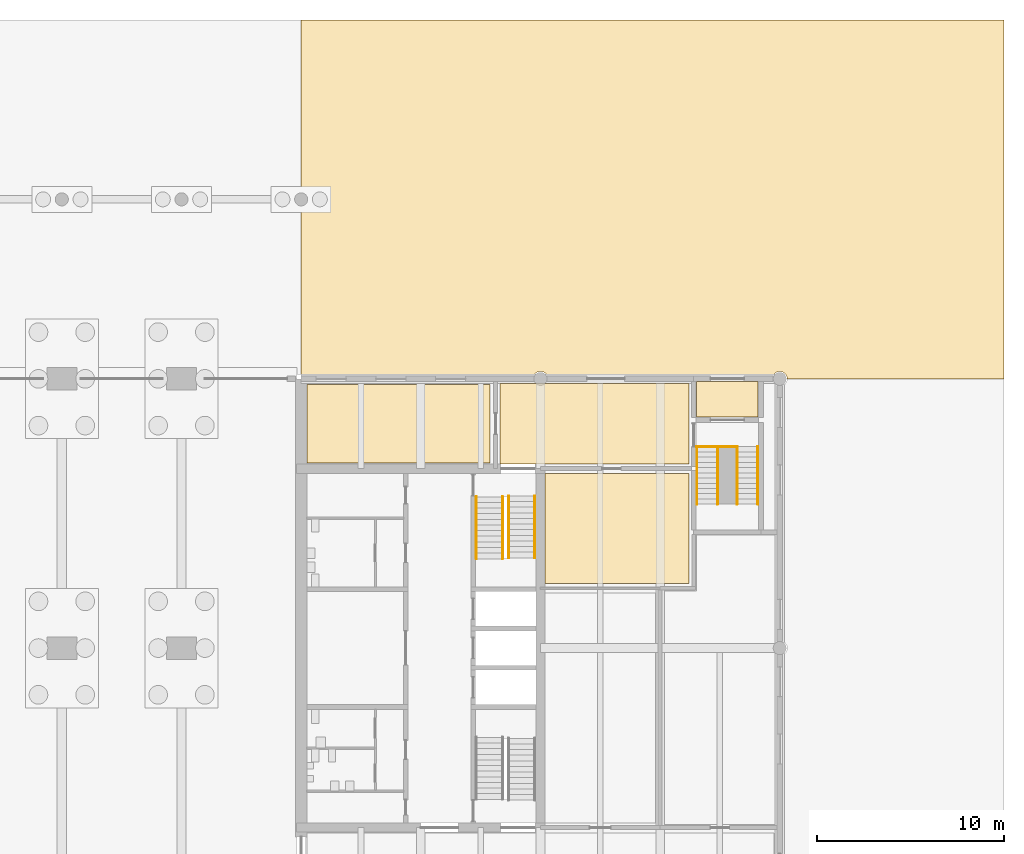
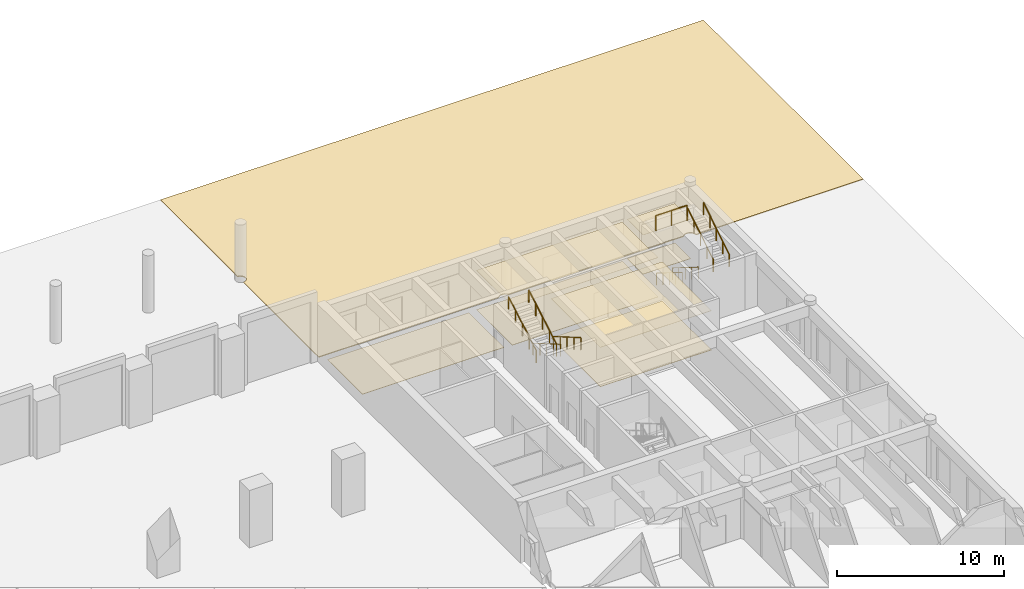
# One storey, part 27 of 28: 9 railings, 8 coverings.
"""IFC4 building model written with IfcOpenShell, lengths in metres."""

from ifc_helpers import new_model, si_unit, direction, frame, origin, origin_2d, place, context, subcontext, project, spatial, polyline, circle, outline, extrude, material, layer, layer_set, type_object, element, save


model = new_model("IFC4")

# Units and contexts
model_context = context("Model", 3, precision=1e-05, world=origin(), true_north=direction((0.0, 1.0)))
body_context = subcontext(model_context, "Body", "Model", "MODEL_VIEW")
ifc_project = project(units=[si_unit("LENGTHUNIT", "METRE"), si_unit("AREAUNIT", "SQUARE_METRE"), si_unit("VOLUMEUNIT", "CUBIC_METRE"), si_unit("PLANEANGLEUNIT", "RADIAN"), si_unit("MASSUNIT", "GRAM", prefix="KILO")], contexts=[model_context])

# Site, building, storey
site_placement = place(None, origin())
site = spatial("IfcSite", under=ifc_project, at=site_placement, CompositionType="ELEMENT")
building_placement = place(site_placement, origin())
building = spatial("IfcBuilding", under=site, at=building_placement, Name="Fogon Plaza Fire Station and Headquarters Tower", CompositionType="ELEMENT")
storey_placement = place(building_placement, origin())
storey = spatial("IfcBuildingStorey", under=building, at=storey_placement, Name="L00", CompositionType="ELEMENT", Elevation=0.0)

# Coverings
ifc_material_1 = material(Name="Carpet Tile Floor Finish")
ifc_layer_1 = layer(ifc_material_1, 0.011962890625)
ifc_layer_set_1 = layer_set([ifc_layer_1], Name="Carpet Tile Floor Finish")
covering_type_1 = type_object("IfcCoveringType", Name="Floor Finish Carpet 12", PredefinedType="FLOORING", material=ifc_layer_set_1)
covering_1_placement = place(storey_placement, origin())
element("IfcCovering", 1, at=covering_1_placement, inside=storey, type_object=covering_type_1, Name="floor-L00-E-rec", PredefinedType="FLOORING", context=body_context, shape_type="SweptSolid", body=[
    extrude(outline(polyline([(77.050048828125, 46.64990234375), (77.050048828125, 52.550048828125), (84.75, 52.550048828125), (84.75, 46.64990234375), (77.050048828125, 46.64990234375)])), origin(), (0.0, 0.0, 1.0), 0.02490234375),
])
ifc_material_2 = material(Name="Epoxy Resin Floor Finish")
ifc_layer_2 = layer(ifc_material_2, 0.02490234375)
ifc_layer_set_2 = layer_set([ifc_layer_2], Name="Epoxy Resin Floor Finish")
covering_type_2 = type_object("IfcCoveringType", Name="Floor Finish Epoxy 25", PredefinedType="FLOORING", material=ifc_layer_set_2)
covering_2_placement = place(storey_placement, origin())
element("IfcCovering", 2, at=covering_2_placement, inside=storey, type_object=covering_type_2, Name="floor-L00-E-hose2", PredefinedType="FLOORING", context=body_context, shape_type="SweptSolid", body=[
    extrude(outline(polyline([(64.300048828125, 53.10009765625), (64.300048828125, 57.300048828125), (74.10009765625, 57.300048828125), (74.10009765625, 53.10009765625), (64.300048828125, 53.10009765625)])), origin(), (0.0, 0.0, 1.0), 0.02490234375),
])
ifc_material_3 = material(Name="Terrazzo Floor Finish")
ifc_layer_3 = layer(ifc_material_3, 0.02490234375)
ifc_layer_set_3 = layer_set([ifc_layer_3], Name="Terrazzo Floor Finish")
covering_type_3 = type_object("IfcCoveringType", Name="Floor Finish Terrazzo 25", PredefinedType="FLOORING", material=ifc_layer_set_3)
covering_3_placement = place(storey_placement, origin())
element("IfcCovering", 3, at=covering_3_placement, inside=storey, type_object=covering_type_3, Name="floor-L00-E-nel", PredefinedType="FLOORING", context=body_context, shape_type="SweptSolid", body=[
    extrude(outline(polyline([(74.64990234375, 53.050048828125), (74.64990234375, 57.35009765625), (84.75, 57.35009765625), (84.75, 53.050048828125), (74.64990234375, 53.050048828125)])), origin(), (0.0, 0.0, 1.0), 0.02490234375),
])
ifc_material_4 = material(Name="Vinyl Floor Finish")
ifc_layer_4 = layer(ifc_material_4, 0.02490234375)
ifc_layer_set_4 = layer_set([ifc_layer_4], Name="Vinyl Floor Finish")
covering_type_4 = type_object("IfcCoveringType", Name="Floor Finish Vinyl 25", PredefinedType="FLOORING", material=ifc_layer_set_4)
covering_4_placement = place(storey_placement, origin())
element("IfcCovering", 4, at=covering_4_placement, inside=storey, type_object=covering_type_4, Name="Floor finish L00 east wing Stair Exit Passage North", PredefinedType="FLOORING", context=body_context, shape_type="SweptSolid", body=[
    extrude(outline(polyline([(85.14990234375, 55.550048828125), (85.14990234375, 57.449951171875), (88.449951171875, 57.449951171875), (88.449951171875, 55.550048828125), (85.14990234375, 55.550048828125)])), origin(), (0.0, 0.0, 1.0), 0.02490234375),
])
ifc_material_5 = material(Name="Granite paving", Category="masonry")
ifc_layer_5 = layer(ifc_material_5, 0.06005859375)
ifc_layer_set_5 = layer_set([ifc_layer_5], Name="Granite paving")
covering_type_5 = type_object("IfcCoveringType", Name="Granite Plaza Paving 60", PredefinedType="USERDEFINED", material=ifc_layer_set_5)
covering_5_placement = place(storey_placement, frame((0.0, 0.0, -0.06005859375)))
element("IfcCovering", 5, at=covering_5_placement, inside=storey, type_object=covering_type_5, Name="Paving forecourt-E", ObjectType="PAVING", PredefinedType="USERDEFINED", context=body_context, shape_type="SweptSolid", body=[
    extrude(outline(polyline([(64.1337890625, 66.876708984375), (64.24755859375, 66.952392578125), (64.323486328125, 67.066162109375), (64.35009765625, 67.199951171875), (64.323486328125, 67.333984375), (64.24755859375, 67.447509765625), (64.1337890625, 67.5234375), (64.0, 67.550048828125), (64.0, 76.794921875), (101.594970703125, 76.794921875), (101.594970703125, 57.60009765625), (90.0, 57.60009765625), (89.969482421875, 57.753173828125), (89.8828125, 57.8828125), (89.753173828125, 57.969482421875), (89.60009765625, 58.0), (89.447021484375, 57.969482421875), (89.317138671875, 57.8828125), (89.278564453125, 57.824951171875), (77.12158203125, 57.824951171875), (77.082763671875, 57.8828125), (76.953125, 57.969482421875), (76.800048828125, 58.0), (76.64697265625, 57.969482421875), (76.51708984375, 57.8828125), (76.478515625, 57.824951171875), (64.22509765625, 57.824951171875), (64.0, 57.824951171875), (64.0, 66.85009765625), (64.1337890625, 66.876708984375)])), origin(), (0.0, 0.0, 1.0), 0.06005859375),
])

# Railings
ifc_material_6 = material(Name="Stainless Steel", Category="steel")
railing_type_1 = type_object("IfcRailingType", Name="Guard Steel 1100", PredefinedType="GUARDRAIL", material=ifc_material_6)
railing_placement = place(storey_placement, frame((85.125, 53.97509765625, 4.199951171875)))
element("IfcRailing", 6, at=railing_placement, inside=storey, type_object=railing_type_1, Name="rail-ST7-L00-5", PredefinedType="GUARDRAIL", context=body_context, shape_type="SweptSolid", body=[
    extrude(circle(Radius=0.02392578125, at=origin_2d()), frame((0.0, 0.0, 1.076171875), z_axis=(1.0, 0.0, 0.0), x_axis=(0.0, 1.0, 0.0)), (0.0, 0.0, 1.0), 2.14990234375),
    extrude(circle(Radius=0.02099609375, at=origin_2d()), origin(), (0.0, 0.0, 1.0), 1.052001953125),
    extrude(circle(Radius=0.02099609375, at=origin_2d()), frame((1.074951171875, 0.0, 0.0)), (0.0, 0.0, 1.0), 1.052001953125),
    extrude(circle(Radius=0.02099609375, at=origin_2d()), frame((2.14990234375, 0.0, 0.0)), (0.0, 0.0, 1.0), 1.052001953125),
])
ifc_material_7 = material(Name="Steel", Category="steel")
railing_type_2 = type_object("IfcRailingType", Name="Stair Handrail 900", PredefinedType="HANDRAIL", material=ifc_material_7)
for number, where, name in (
    (7, (76.5, 51.340087890625, 0.175048828125), "Handrail ST4"),
    (8, (75.10009765625, 51.340087890625, 0.175048828125), "Handrail ST4"),
):
    element("IfcRailing", number, at=place(storey_placement, frame(where)), inside=storey, type_object=railing_type_2, Name=name, PredefinedType="HANDRAIL", context=body_context, shape_type="SweptSolid", body=[
        extrude(circle(Radius=0.02392578125, at=origin_2d()), frame((0.0, 0.0, 0.8759765625), z_axis=(0.0, -0.864777349284, 0.502155490029), x_axis=(1.0, 0.0, 0.0)), (0.0, 0.0, 1.0), 3.83349609375),
        extrude(circle(Radius=0.02099609375, at=origin_2d()), origin(), (0.0, 0.0, 1.0), 0.851806640625),
        extrude(circle(Radius=0.02099609375, at=origin_2d()), frame((0.0, -0.828857421875, 0.481201171875)), (0.0, 0.0, 1.0), 0.851806640625),
        extrude(circle(Radius=0.02099609375, at=origin_2d()), frame((0.0, -1.65771484375, 0.96240234375)), (0.0, 0.0, 1.0), 0.851806640625),
        extrude(circle(Radius=0.02099609375, at=origin_2d()), frame((0.0, -2.486328125, 1.44384765625)), (0.0, 0.0, 1.0), 0.851806640625),
        extrude(circle(Radius=0.02099609375, at=origin_2d()), frame((0.0, -3.315185546875, 1.925048828125)), (0.0, 0.0, 1.0), 0.851806640625),
    ])
for number, where, name in (
    (9, (73.375, 47.97509765625, 2.27490234375), "Handrail ST4"),
    (10, (74.77490234375, 47.97509765625, 2.27490234375), "Handrail ST4"),
):
    element("IfcRailing", number, at=place(storey_placement, frame(where)), inside=storey, type_object=railing_type_2, Name=name, PredefinedType="HANDRAIL", context=body_context, shape_type="SweptSolid", body=[
        extrude(circle(Radius=0.02392578125, at=origin_2d()), frame((0.0, 0.0, 0.8759765625), z_axis=(0.0, 0.864761289162, 0.502183146637), x_axis=(-1.0, 0.0, 0.0)), (0.0, 0.0, 1.0), 3.833251953125),
        extrude(circle(Radius=0.02099609375, at=origin_2d()), origin(), (0.0, 0.0, 1.0), 0.851806640625),
        extrude(circle(Radius=0.02099609375, at=origin_2d()), frame((0.0, 0.82861328125, 0.481201171875)), (0.0, 0.0, 1.0), 0.851806640625),
        extrude(circle(Radius=0.02099609375, at=origin_2d()), frame((0.0, 1.657470703125, 0.96240234375)), (0.0, 0.0, 1.0), 0.851806640625),
        extrude(circle(Radius=0.02099609375, at=origin_2d()), frame((0.0, 2.486328125, 1.44384765625)), (0.0, 0.0, 1.0), 0.851806640625),
        extrude(circle(Radius=0.02099609375, at=origin_2d()), frame((0.0, 3.31494140625, 1.925048828125)), (0.0, 0.0, 1.0), 0.851806640625),
    ])
ifc_material_8 = material(Name="Stainless Steel", Category="steel")
railing_type_3 = type_object("IfcRailingType", Name="Stair Handrail Steel 900", PredefinedType="HANDRAIL", material=ifc_material_8)
for number, where, name in (
    (11, (85.175048828125, 53.97509765625, 0.175048828125), "rail-ST7-L00-1"),
    (12, (86.27490234375, 53.97509765625, 0.175048828125), "rail-ST7-L00-2"),
):
    element("IfcRailing", number, at=place(storey_placement, frame(where)), inside=storey, type_object=railing_type_3, Name=name, PredefinedType="HANDRAIL", context=body_context, shape_type="SweptSolid", body=[
        extrude(circle(Radius=0.02392578125, at=origin_2d()), frame((0.0, 0.0, 0.8759765625), z_axis=(0.0, -0.847998304005, 0.529998940003), x_axis=(1.0, 0.0, 0.0)), (0.0, 0.0, 1.0), 3.632080078125),
        extrude(circle(Radius=0.02099609375, at=origin_2d()), origin(), (0.0, 0.0, 1.0), 0.851806640625),
        extrude(circle(Radius=0.02099609375, at=origin_2d()), frame((0.0, -0.77001953125, 0.481201171875)), (0.0, 0.0, 1.0), 0.851806640625),
        extrude(circle(Radius=0.02099609375, at=origin_2d()), frame((0.0, -1.5400390625, 0.96240234375)), (0.0, 0.0, 1.0), 0.851806640625),
        extrude(circle(Radius=0.02099609375, at=origin_2d()), frame((0.0, -2.31005859375, 1.44384765625)), (0.0, 0.0, 1.0), 0.851806640625),
        extrude(circle(Radius=0.02099609375, at=origin_2d()), frame((0.0, -3.080078125, 1.925048828125)), (0.0, 0.0, 1.0), 0.851806640625),
    ])
for number, where, name in (
    (13, (87.324951171875, 50.89501953125, 2.27490234375), "rail-ST7-L00-3"),
    (14, (88.425048828125, 50.89501953125, 2.27490234375), "rail-ST7-L00-4"),
):
    element("IfcRailing", number, at=place(storey_placement, frame(where)), inside=storey, type_object=railing_type_3, Name=name, PredefinedType="HANDRAIL", context=body_context, shape_type="SweptSolid", body=[
        extrude(circle(Radius=0.02392578125, at=origin_2d()), frame((0.0, 0.0, 0.8759765625), z_axis=(0.0, 0.847998304005, 0.529998940003), x_axis=(-1.0, 0.0, 0.0)), (0.0, 0.0, 1.0), 3.632080078125),
        extrude(circle(Radius=0.02099609375, at=origin_2d()), origin(), (0.0, 0.0, 1.0), 0.851806640625),
        extrude(circle(Radius=0.02099609375, at=origin_2d()), frame((0.0, 0.77001953125, 0.481201171875)), (0.0, 0.0, 1.0), 0.851806640625),
        extrude(circle(Radius=0.02099609375, at=origin_2d()), frame((0.0, 1.5400390625, 0.96240234375)), (0.0, 0.0, 1.0), 0.851806640625),
        extrude(circle(Radius=0.02099609375, at=origin_2d()), frame((0.0, 2.31005859375, 1.44384765625)), (0.0, 0.0, 1.0), 0.851806640625),
        extrude(circle(Radius=0.02099609375, at=origin_2d()), frame((0.0, 3.080078125, 1.925048828125)), (0.0, 0.0, 1.0), 0.851806640625),
    ])

# Coverings
ifc_material_9 = material(Name="Mineral Fibre Ceiling Tile")
ifc_layer_6 = layer(ifc_material_9, 0.02001953125)
ifc_layer_set_6 = layer_set([ifc_layer_6], Name="Mineral Fibre Ceiling Tile")
covering_type_6 = type_object("IfcCoveringType", Name="Suspended Ceiling 600x600", PredefinedType="CEILING", material=ifc_layer_set_6)
covering_6_placement = place(storey_placement, frame((0.0, 0.0, 2.8798828125)))
element("IfcCovering", 15, at=covering_6_placement, inside=storey, type_object=covering_type_6, Name="Ceiling finish L00 east wing Stair Exit Passage North", PredefinedType="CEILING", context=body_context, shape_type="SweptSolid", body=[
    extrude(outline(polyline([(85.14990234375, 55.550048828125), (85.14990234375, 57.449951171875), (88.449951171875, 57.449951171875), (88.449951171875, 55.550048828125), (85.14990234375, 55.550048828125)])), origin(), (0.0, 0.0, 1.0), 0.02001953125),
])
covering_7_placement = place(storey_placement, frame((0.0, 0.0, 2.8798828125)))
element("IfcCovering", 16, at=covering_7_placement, inside=storey, type_object=covering_type_6, Name="ceiling-L00-E-rec", PredefinedType="CEILING", context=body_context, shape_type="SweptSolid", body=[
    extrude(outline(polyline([(77.050048828125, 46.64990234375), (77.050048828125, 52.550048828125), (84.75, 52.550048828125), (84.75, 46.64990234375), (77.050048828125, 46.64990234375)])), origin(), (0.0, 0.0, 1.0), 0.02001953125),
])
covering_8_placement = place(storey_placement, frame((0.0, 0.0, 2.8798828125)))
element("IfcCovering", 17, at=covering_8_placement, inside=storey, type_object=covering_type_6, Name="ceiling-L00-E-nel", PredefinedType="CEILING", context=body_context, shape_type="SweptSolid", body=[
    extrude(outline(polyline([(74.64990234375, 53.050048828125), (74.64990234375, 57.35009765625), (84.75, 57.35009765625), (84.75, 53.050048828125), (74.64990234375, 53.050048828125)])), origin(), (0.0, 0.0, 1.0), 0.02001953125),
])

save(model, "model.ifc")
